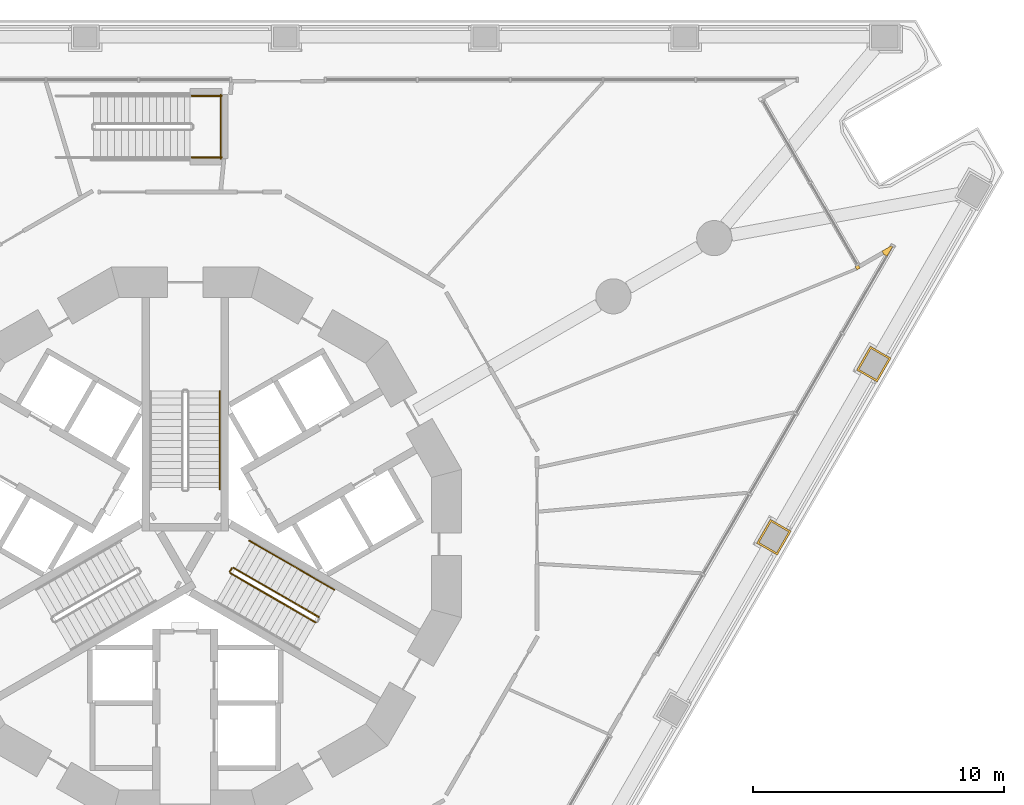
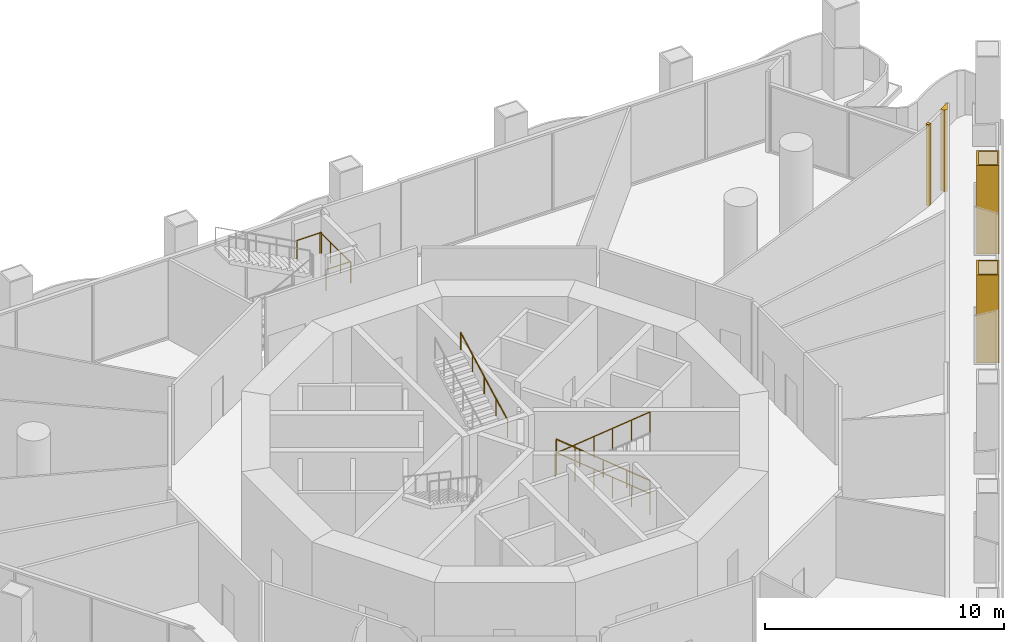
# One storey, part 20 of 21: 9 railings, 4 coverings.
"""IFC4 building model written with IfcOpenShell, lengths in metres."""

from ifc_helpers import new_model, si_unit, direction, frame, origin, origin_2d, place, context, subcontext, project, spatial, polyline, circle, outline, extrude, material, layer, layer_set, type_object, element, save


model = new_model("IFC4")

# Units and contexts
model_context = context("Model", 3, precision=1e-05, world=origin(), true_north=direction((0.0, 1.0)))
body_context = subcontext(model_context, "Body", "Model", "MODEL_VIEW")
ifc_project = project(units=[si_unit("LENGTHUNIT", "METRE"), si_unit("AREAUNIT", "SQUARE_METRE"), si_unit("VOLUMEUNIT", "CUBIC_METRE"), si_unit("PLANEANGLEUNIT", "RADIAN"), si_unit("MASSUNIT", "GRAM", prefix="KILO")], contexts=[model_context])

# Site, building, storey
site_placement = place(None, origin())
site = spatial("IfcSite", under=ifc_project, at=site_placement, CompositionType="ELEMENT")
building_placement = place(site_placement, origin())
building = spatial("IfcBuilding", under=site, at=building_placement, Name="Trine Commons Tower", CompositionType="ELEMENT")
storey_placement = place(building_placement, frame((0.0, 0.0, 13.5)))
storey = spatial("IfcBuildingStorey", under=building, at=storey_placement, Name="L02", CompositionType="ELEMENT", Elevation=13.5)

# Railings
ifc_material_1 = material(Name="Structural steel ASTM A500 Gr C", Category="steel")
railing_type_1 = type_object("IfcRailingType", Name="Glass and steel guard 1100 mm, ASTM A500 Gr C", PredefinedType="GUARDRAIL", material=ifc_material_1)
for number, where, name in (
    (1, (80.260009765625, 77.885009765625, 2.25), "L02 PS1 stair guard 3"),
    (2, (80.260009765625, 80.3349609375, 2.25), "L02 PS1 stair guard 4"),
):
    element("IfcRailing", number, at=place(storey_placement, frame(where)), inside=storey, type_object=railing_type_1, Name=name, PredefinedType="GUARDRAIL", context=body_context, shape_type="SweptSolid", body=[
        extrude(circle(Radius=0.02392578125, at=origin_2d()), frame((0.0, 0.0, 1.076171875), z_axis=(1.0, 0.0, 0.0), x_axis=(0.0, 1.0, 0.0)), (0.0, 0.0, 1.0), 1.199951171875),
        extrude(circle(Radius=0.02099609375, at=origin_2d()), origin(), (0.0, 0.0, 1.0), 1.052001953125),
        extrude(circle(Radius=0.02099609375, at=origin_2d()), frame((1.199951171875, 0.0, 0.0)), (0.0, 0.0, 1.0), 1.052001953125),
    ])
railing_1_placement = place(storey_placement, frame((81.409912109375, 77.8349609375, 2.25)))
element("IfcRailing", 3, at=railing_1_placement, inside=storey, type_object=railing_type_1, Name="L02 PS1 stair guard 5", PredefinedType="GUARDRAIL", context=body_context, shape_type="SweptSolid", body=[
    extrude(circle(Radius=0.02392578125, at=origin_2d()), frame((0.0, 0.0, 1.076171875), z_axis=(0.0, 1.0, 0.0), x_axis=(-1.0, 0.0, 0.0)), (0.0, 0.0, 1.0), 2.550048828125),
    extrude(circle(Radius=0.02099609375, at=origin_2d()), origin(), (0.0, 0.0, 1.0), 1.052001953125),
    extrude(circle(Radius=0.02099609375, at=origin_2d()), frame((0.0, 0.85009765625, 0.0)), (0.0, 0.0, 1.0), 1.052001953125),
    extrude(circle(Radius=0.02099609375, at=origin_2d()), frame((0.0, 1.699951171875, 0.0)), (0.0, 0.0, 1.0), 1.052001953125),
    extrude(circle(Radius=0.02099609375, at=origin_2d()), frame((0.0, 2.550048828125, 0.0)), (0.0, 0.0, 1.0), 1.052001953125),
])

# Coverings
ifc_material_2 = material(Name="Aluminium-framed insulated wall panel", Category="aluminium")
ifc_layer_1 = layer(ifc_material_2, 0.14990234375)
ifc_layer_set_1 = layer_set([ifc_layer_1], Name="Aluminium-framed insulated wall panel")
covering_type_1 = type_object("IfcCoveringType", Name="Glazing corner post, aluminium", PredefinedType="CLADDING", material=ifc_layer_set_1)
covering_1_placement = place(storey_placement, origin())
element("IfcCovering", 4, at=covering_1_placement, inside=storey, type_object=covering_type_1, Name="Glazing corner post 1-07", PredefinedType="CLADDING", context=body_context, shape_type="SweptSolid", body=[
    extrude(outline(polyline([(106.688720703125, 73.532470703125), (106.763671875, 73.402587890625), (106.8935546875, 73.4775390625), (106.818603515625, 73.607421875), (106.688720703125, 73.532470703125)])), origin(), (0.0, 0.0, 1.0), 4.14990234375),
])
covering_2_placement = place(storey_placement, origin())
element("IfcCovering", 5, at=covering_2_placement, inside=storey, type_object=covering_type_1, Name="Glazing corner post 1-08", PredefinedType="CLADDING", context=body_context, shape_type="SweptSolid", body=[
    extrude(outline(polyline([(107.963623046875, 73.9453125), (108.24365234375, 74.43017578125), (107.7587890625, 74.150146484375), (107.833740234375, 74.020263671875), (107.963623046875, 73.9453125)])), origin(), (0.0, 0.0, 1.0), 4.14990234375),
])
ifc_material_3 = material(Name="Limestone, honed", Category="masonry")
ifc_layer_2 = layer(ifc_material_3, 0.074951171875)
ifc_layer_set_2 = layer_set([ifc_layer_2], Name="Limestone, honed")
covering_type_2 = type_object("IfcCoveringType", Name="Limestone column cladding 75", PredefinedType="CLADDING", material=ifc_layer_set_2)
covering_3_placement = place(storey_placement, origin())
element("IfcCovering", 6, at=covering_3_placement, inside=storey, type_object=covering_type_2, Name="Limestone pier cladding 1-18", PredefinedType="CLADDING", context=body_context, shape_type="SweptSolid", body=[
    extrude(outline(polyline([(108.12109375, 69.8876953125), (107.298095703125, 70.36279296875), (106.748291015625, 69.41015625), (107.571044921875, 68.93505859375), (108.12109375, 69.8876953125)]), holes=[polyline([(108.0185546875, 69.8603515625), (107.32568359375, 70.26025390625), (106.8505859375, 69.4375), (107.54345703125, 69.03759765625), (108.0185546875, 69.8603515625)])]), origin(), (0.0, 0.0, 1.0), 4.5),
])
covering_4_placement = place(storey_placement, origin())
element("IfcCovering", 7, at=covering_4_placement, inside=storey, type_object=covering_type_2, Name="Limestone pier cladding 1-19", PredefinedType="CLADDING", context=body_context, shape_type="SweptSolid", body=[
    extrude(outline(polyline([(104.139404296875, 62.9912109375), (103.31640625, 63.46630859375), (102.7666015625, 62.513671875), (103.58935546875, 62.03857421875), (104.139404296875, 62.9912109375)]), holes=[polyline([(104.036865234375, 62.9638671875), (103.343994140625, 63.36376953125), (102.868896484375, 62.541015625), (103.561767578125, 62.14111328125), (104.036865234375, 62.9638671875)])]), origin(), (0.0, 0.0, 1.0), 4.5),
])

# Railings
ifc_material_4 = material(Name="Stainless steel balustrade", Category="steel")
railing_type_2 = type_object("IfcRailingType", Name="Stair guard, steel balustrade 1100", PredefinedType="GUARDRAIL", material=ifc_material_4)
railing_2_placement = place(storey_placement, frame((85.31982421875, 59.572998046875, 0.14990234375)))
element("IfcRailing", 8, at=railing_2_placement, inside=storey, type_object=railing_type_2, Name="L02 ST3A stair guard 1", PredefinedType="GUARDRAIL", context=body_context, shape_type="SweptSolid", body=[
    extrude(circle(Radius=0.02392578125, at=origin_2d()), frame((0.0, 0.0, 1.076171875), z_axis=(-0.763374939589, 0.440731680332, 0.472243885677), x_axis=(-0.499997407846, -0.86602690036, 0.0)), (0.0, 0.0, 1.0), 4.447021484375),
    extrude(circle(Radius=0.02099609375, at=origin_2d()), origin(), (0.0, 0.0, 1.0), 1.052001953125),
    extrude(circle(Radius=0.02099609375, at=origin_2d()), frame((-0.678955078125, 0.39208984375, 0.419921875)), (0.0, 0.0, 1.0), 1.052001953125),
    extrude(circle(Radius=0.02099609375, at=origin_2d()), frame((-1.35791015625, 0.783935546875, 0.840087890625)), (0.0, 0.0, 1.0), 1.052001953125),
    extrude(circle(Radius=0.02099609375, at=origin_2d()), frame((-2.036865234375, 1.176025390625, 1.260009765625)), (0.0, 0.0, 1.0), 1.052001953125),
    extrude(circle(Radius=0.02099609375, at=origin_2d()), frame((-2.7158203125, 1.56787109375, 1.68017578125)), (0.0, 0.0, 1.0), 1.052001953125),
    extrude(circle(Radius=0.02099609375, at=origin_2d()), frame((-3.394775390625, 1.9599609375, 2.10009765625)), (0.0, 0.0, 1.0), 1.052001953125),
])
railing_3_placement = place(storey_placement, frame((81.856689453125, 61.5146484375, 2.25)))
element("IfcRailing", 9, at=railing_3_placement, inside=storey, type_object=railing_type_2, Name="L02 ST3A stair guard 2", PredefinedType="GUARDRAIL", context=body_context, shape_type="SweptSolid", body=[
    extrude(circle(Radius=0.02392578125, at=origin_2d()), frame((0.0, 0.0, 1.076171875), z_axis=(-0.499816412211, -0.866131372301, 0.0), x_axis=(0.866131372301, -0.499816412211, 0.0)), (0.0, 0.0, 1.0), 0.14990234375),
    extrude(circle(Radius=0.02099609375, at=origin_2d()), origin(), (0.0, 0.0, 1.0), 1.052001953125),
    extrude(circle(Radius=0.02099609375, at=origin_2d()), frame((-0.074951171875, -0.1298828125, 0.0)), (0.0, 0.0, 1.0), 1.052001953125),
])
railing_4_placement = place(storey_placement, frame((81.800048828125, 61.31640625, 2.39990234375)))
element("IfcRailing", 10, at=railing_4_placement, inside=storey, type_object=railing_type_2, Name="L02 ST3A stair guard 3", PredefinedType="GUARDRAIL", context=body_context, shape_type="SweptSolid", body=[
    extrude(circle(Radius=0.02392578125, at=origin_2d()), frame((0.0, 0.0, 1.076171875), z_axis=(0.763374939589, -0.440731680332, 0.472243885677), x_axis=(0.499997407846, 0.86602690036, 0.0)), (0.0, 0.0, 1.0), 4.447021484375),
    extrude(circle(Radius=0.02099609375, at=origin_2d()), origin(), (0.0, 0.0, 1.0), 1.052001953125),
    extrude(circle(Radius=0.02099609375, at=origin_2d()), frame((0.678955078125, -0.39208984375, 0.419921875)), (0.0, 0.0, 1.0), 1.052001953125),
    extrude(circle(Radius=0.02099609375, at=origin_2d()), frame((1.35791015625, -0.783935546875, 0.840087890625)), (0.0, 0.0, 1.0), 1.052001953125),
    extrude(circle(Radius=0.02099609375, at=origin_2d()), frame((2.036865234375, -1.176025390625, 1.260009765625)), (0.0, 0.0, 1.0), 1.052001953125),
    extrude(circle(Radius=0.02099609375, at=origin_2d()), frame((2.7158203125, -1.56787109375, 1.68017578125)), (0.0, 0.0, 1.0), 1.052001953125),
    extrude(circle(Radius=0.02099609375, at=origin_2d()), frame((3.394775390625, -1.9599609375, 2.10009765625)), (0.0, 0.0, 1.0), 1.052001953125),
])
ifc_material_5 = material(Name="Stainless steel handrail", Category="steel")
railing_type_3 = type_object("IfcRailingType", Name="Stair handrail, steel 900", PredefinedType="HANDRAIL", material=ifc_material_5)
railing_5_placement = place(storey_placement, frame((81.375, 64.650634765625, 2.39990234375)))
element("IfcRailing", 11, at=railing_5_placement, inside=storey, type_object=railing_type_3, Name="L02 ST1A stair handrail 2", PredefinedType="HANDRAIL", context=body_context, shape_type="SweptSolid", body=[
    extrude(circle(Radius=0.02099609375, at=origin_2d()), frame((0.0, 0.0, 0.87890625), z_axis=(0.0, 0.881466911329, 0.472245787945), x_axis=(-1.0, 0.0, 0.0)), (0.0, 0.0, 1.0), 4.447021484375),
    extrude(circle(Radius=0.01513671875, at=origin_2d()), origin(), (0.0, 0.0, 1.0), 0.85791015625),
    extrude(circle(Radius=0.01513671875, at=origin_2d()), frame((0.0, 0.97998046875, 0.52490234375)), (0.0, 0.0, 1.0), 0.85791015625),
    extrude(circle(Radius=0.01513671875, at=origin_2d()), frame((0.0, 1.9599609375, 1.050048828125)), (0.0, 0.0, 1.0), 0.85791015625),
    extrude(circle(Radius=0.01513671875, at=origin_2d()), frame((0.0, 2.93994140625, 1.5751953125)), (0.0, 0.0, 1.0), 0.85791015625),
    extrude(circle(Radius=0.01513671875, at=origin_2d()), frame((0.0, 3.919921875, 2.10009765625)), (0.0, 0.0, 1.0), 0.85791015625),
])
railing_6_placement = place(storey_placement, frame((85.94482421875, 60.655517578125, 0.14990234375)))
element("IfcRailing", 12, at=railing_6_placement, inside=storey, type_object=railing_type_3, Name="L02 ST3A stair handrail 1", PredefinedType="HANDRAIL", context=body_context, shape_type="SweptSolid", body=[
    extrude(circle(Radius=0.02099609375, at=origin_2d()), frame((0.0, 0.0, 0.87890625), z_axis=(-0.763397845365, 0.440713210311, 0.472224095054), x_axis=(-0.499970440388, -0.866042469362, 0.0)), (0.0, 0.0, 1.0), 2.2236328125),
    extrude(circle(Radius=0.01513671875, at=origin_2d()), origin(), (0.0, 0.0, 1.0), 0.85791015625),
    extrude(circle(Radius=0.01513671875, at=origin_2d()), frame((-0.8486328125, 0.489990234375, 0.52490234375)), (0.0, 0.0, 1.0), 0.85791015625),
    extrude(circle(Radius=0.01513671875, at=origin_2d()), frame((-1.697509765625, 0.97998046875, 1.050048828125)), (0.0, 0.0, 1.0), 0.85791015625),
])
railing_7_placement = place(storey_placement, frame((84.247314453125, 61.635498046875, 1.199951171875)))
element("IfcRailing", 13, at=railing_7_placement, inside=storey, type_object=railing_type_3, Name="L02 ST3A stair handrail 2", PredefinedType="HANDRAIL", context=body_context, shape_type="SweptSolid", body=[
    extrude(circle(Radius=0.02099609375, at=origin_2d()), frame((0.0, 0.0, 0.87890625), z_axis=(-0.763352030933, 0.440750151347, 0.472263677365), x_axis=(-0.500024377727, -0.866011328839, 0.0)), (0.0, 0.0, 1.0), 2.223388671875),
    extrude(circle(Radius=0.01513671875, at=origin_2d()), origin(), (0.0, 0.0, 1.0), 0.85791015625),
    extrude(circle(Radius=0.01513671875, at=origin_2d()), frame((-0.8486328125, 0.489990234375, 0.52490234375)), (0.0, 0.0, 1.0), 0.85791015625),
    extrude(circle(Radius=0.01513671875, at=origin_2d()), frame((-1.697265625, 0.97998046875, 1.050048828125)), (0.0, 0.0, 1.0), 0.85791015625),
])

save(model, "model.ifc")
